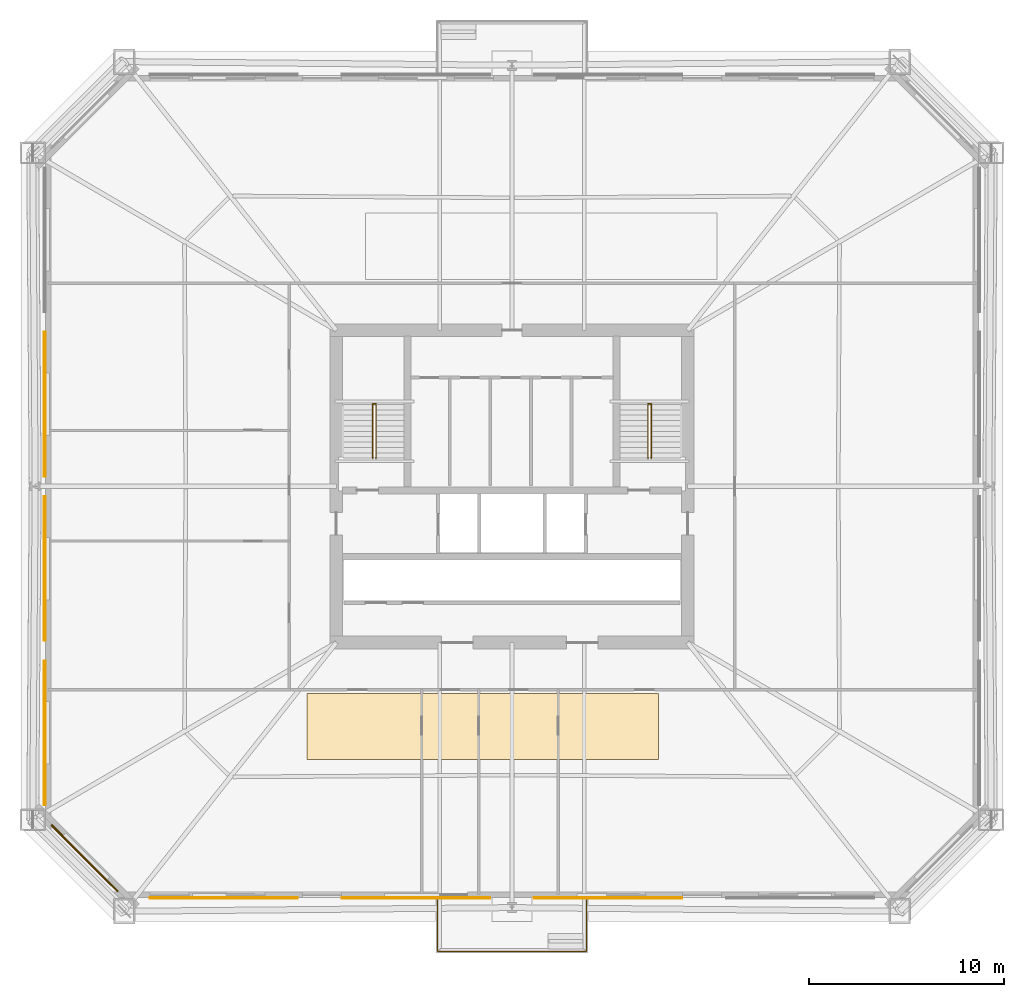
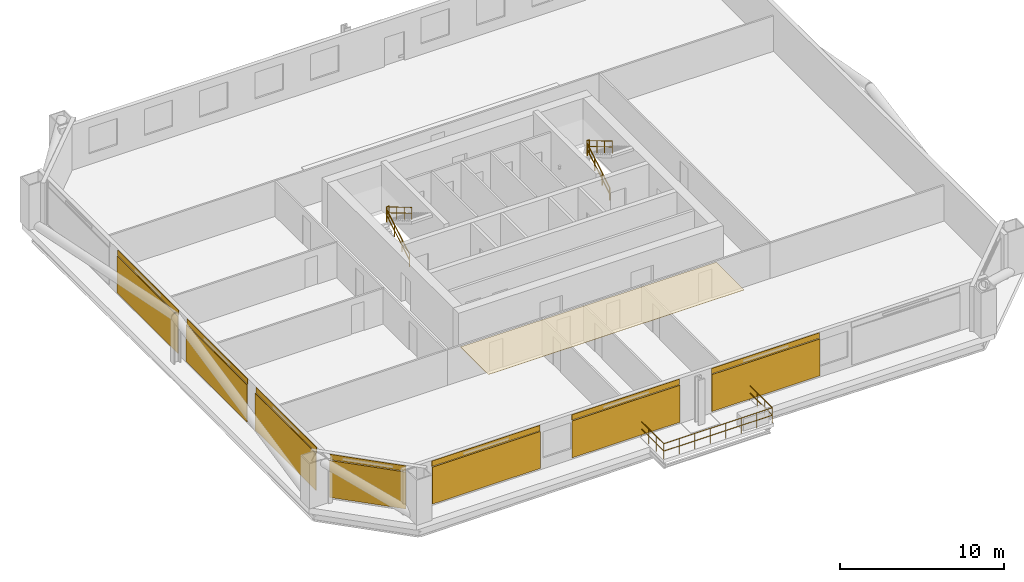
# One storey, part 6 of 7: 8 coverings, 7 railings, 7 shading devices.
"""IFC4 building model written with IfcOpenShell, lengths in metres."""

from ifc_helpers import new_model, si_unit, direction, frame, origin, origin_2d, place, context, subcontext, project, spatial, polyline, rectangle, circle, outline, extrude, material, layer, layer_set, type_object, element, save


model = new_model("IFC4")

# Units and contexts
model_context = context("Model", 3, precision=1e-05, world=origin(), true_north=direction((0.0, 1.0)))
body_context = subcontext(model_context, "Body", "Model", "MODEL_VIEW")
ifc_project = project(units=[si_unit("LENGTHUNIT", "METRE"), si_unit("AREAUNIT", "SQUARE_METRE"), si_unit("VOLUMEUNIT", "CUBIC_METRE"), si_unit("PLANEANGLEUNIT", "RADIAN"), si_unit("MASSUNIT", "GRAM", prefix="KILO")], contexts=[model_context])

# Site, building, storey
site_placement = place(None, origin())
site = spatial("IfcSite", under=ifc_project, at=site_placement, CompositionType="ELEMENT")
building_placement = place(site_placement, origin())
building = spatial("IfcBuilding", under=site, at=building_placement, Name="Caelvoria Tower", CompositionType="ELEMENT")
storey_placement = place(building_placement, frame((0.0, 0.0, 38.800048828125)))
storey = spatial("IfcBuildingStorey", under=building, at=storey_placement, Name="L09", CompositionType="ELEMENT", Elevation=38.800048828125)

# Railing
ifc_material_1 = material(Name="Bronze Anodised Aluminium and Stainless Steel", Category="steel")
railing_type_1 = type_object("IfcRailingType", Name="Exterior Terrace and Balcony Guardrail 1150", PredefinedType="GUARDRAIL", material=ifc_material_1)
railing_1_placement = place(storey_placement, frame((42.179931640625, 10.93994140625, 0.0)))
element("IfcRailing", 1, at=railing_1_placement, inside=storey, type_object=railing_type_1, Name="Tree Balcony Guardrail TB-L09-S", PredefinedType="GUARDRAIL", context=body_context, shape_type="SweptSolid", body=[
    extrude(circle(Radius=0.02392578125, at=origin_2d()), frame((0.0, 0.0, 1.1259765625), z_axis=(0.0, -1.0, 0.0), x_axis=(1.0, 0.0, 0.0)), (0.0, 0.0, 1.0), 2.760009765625),
    extrude(circle(Radius=0.02392578125, at=origin_2d()), frame((0.0, 0.0, 0.574951171875), z_axis=(0.0, -1.0, 0.0), x_axis=(1.0, 0.0, 0.0)), (0.0, 0.0, 1.0), 2.760009765625),
    extrude(circle(Radius=0.02392578125, at=origin_2d()), frame((0.0, -2.760009765625, 1.1259765625), z_axis=(1.0, 0.0, 0.0), x_axis=(0.0, 1.0, 0.0)), (0.0, 0.0, 1.0), 7.64013671875),
    extrude(circle(Radius=0.02392578125, at=origin_2d()), frame((0.0, -2.760009765625, 0.574951171875), z_axis=(1.0, 0.0, 0.0), x_axis=(0.0, 1.0, 0.0)), (0.0, 0.0, 1.0), 7.64013671875),
    extrude(circle(Radius=0.02392578125, at=origin_2d()), frame((7.64013671875, -2.760009765625, 1.1259765625), z_axis=(0.0, 1.0, 0.0), x_axis=(-1.0, 0.0, 0.0)), (0.0, 0.0, 1.0), 2.760009765625),
    extrude(circle(Radius=0.02392578125, at=origin_2d()), frame((7.64013671875, -2.760009765625, 0.574951171875), z_axis=(0.0, 1.0, 0.0), x_axis=(-1.0, 0.0, 0.0)), (0.0, 0.0, 1.0), 2.760009765625),
    extrude(circle(Radius=0.02099609375, at=origin_2d()), origin(), (0.0, 0.0, 1.0), 1.101806640625),
    extrude(circle(Radius=0.02099609375, at=origin_2d()), frame((0.0, -0.919921875, 0.0)), (0.0, 0.0, 1.0), 1.101806640625),
    extrude(circle(Radius=0.02099609375, at=origin_2d()), frame((0.0, -1.840087890625, 0.0)), (0.0, 0.0, 1.0), 1.101806640625),
    extrude(circle(Radius=0.02099609375, at=origin_2d()), frame((0.0, -2.760009765625, 0.0)), (0.0, 0.0, 1.0), 1.101806640625),
    extrude(circle(Radius=0.02099609375, at=origin_2d()), frame((1.091552734375, -2.760009765625, 0.0)), (0.0, 0.0, 1.0), 1.101806640625),
    extrude(circle(Radius=0.02099609375, at=origin_2d()), frame((2.182861328125, -2.760009765625, 0.0)), (0.0, 0.0, 1.0), 1.101806640625),
    extrude(circle(Radius=0.02099609375, at=origin_2d()), frame((3.2744140625, -2.760009765625, 0.0)), (0.0, 0.0, 1.0), 1.101806640625),
    extrude(circle(Radius=0.02099609375, at=origin_2d()), frame((4.36572265625, -2.760009765625, 0.0)), (0.0, 0.0, 1.0), 1.101806640625),
    extrude(circle(Radius=0.02099609375, at=origin_2d()), frame((5.457275390625, -2.760009765625, 0.0)), (0.0, 0.0, 1.0), 1.101806640625),
    extrude(circle(Radius=0.02099609375, at=origin_2d()), frame((6.548583984375, -2.760009765625, 0.0)), (0.0, 0.0, 1.0), 1.101806640625),
    extrude(circle(Radius=0.02099609375, at=origin_2d()), frame((7.64013671875, -2.760009765625, 0.0)), (0.0, 0.0, 1.0), 1.101806640625),
    extrude(circle(Radius=0.02099609375, at=origin_2d()), frame((7.64013671875, -1.840087890625, 0.0)), (0.0, 0.0, 1.0), 1.101806640625),
    extrude(circle(Radius=0.02099609375, at=origin_2d()), frame((7.64013671875, -0.919921875, 0.0)), (0.0, 0.0, 1.0), 1.101806640625),
    extrude(circle(Radius=0.02099609375, at=origin_2d()), frame((7.64013671875, 0.0, 0.0)), (0.0, 0.0, 1.0), 1.101806640625),
])

# Coverings
ifc_material_2 = material(Name="Acoustic Mineral Fibre Tile", Category="gypsum")
ifc_layer_1 = layer(ifc_material_2, 0.02490234375, Name="Acoustic Mineral Fibre Tile")
ifc_layer_set_1 = layer_set([ifc_layer_1], Name="Mineral-Fibre Acoustic Suspended Ceiling 25 - Acoustic Mineral Fibre Tile")
covering_type_1 = type_object("IfcCoveringType", Name="Mineral-Fibre Acoustic Suspended Ceiling 25", PredefinedType="CEILING", material=ifc_layer_set_1)
covering_1_placement = place(storey_placement, frame((0.0, 0.0, 2.635009765625)))
element("IfcCovering", 2, at=covering_1_placement, inside=storey, type_object=covering_type_1, Name="Suspended Acoustic Ceiling L09", PredefinedType="CEILING", context=body_context, shape_type="SweptSolid", body=[
    extrude(outline(polyline([(35.5, 18.0), (53.5, 18.0), (53.5, 21.39990234375), (35.5, 21.39990234375), (35.5, 18.0)])), origin(), (0.0, 0.0, 1.0), 0.02490234375),
])
ifc_material_3 = material(Name="Perforated Architectural Bronze Cladding Screen", Category="bronze")
ifc_layer_2 = layer(ifc_material_3, 0.0400390625, Name="Perforated Architectural Bronze Cladding Screen")
ifc_layer_set_2 = layer_set([ifc_layer_2], Name="Perforated Bronze Louvre Cladding Band 40 - Perforated Architectural Bronze Cladding Screen")
covering_type_2 = type_object("IfcCoveringType", Name="Perforated Bronze Louvre Cladding Band 40", PredefinedType="CLADDING", material=ifc_layer_set_2)
for number, where, z_axis, x_axis, name in (
    (3, (31.232421875, 10.927978515625, 2.93994140625), (0.0, 0.0, 1.0), (1.0, 0.0, 0.0), "Perforated Bronze Screen Band L09-E0-00"),
    (4, (41.077392578125, 10.927978515625, 2.93994140625), (0.0, 0.0, 1.0), (1.0, 0.0, 0.0), "Perforated Bronze Screen Band L09-E0-01"),
    (5, (50.922607421875, 10.927978515625, 2.93994140625), (0.0, 0.0, 1.0), (1.0, 0.0, 0.0), "Perforated Bronze Screen Band L09-E0-02"),
):
    element("IfcCovering", number, at=place(storey_placement, frame(where, z_axis=z_axis, x_axis=x_axis)), inside=storey, type_object=covering_type_2, Name=name, PredefinedType="CLADDING", context=body_context, shape_type="SweptSolid", body=[
        extrude(rectangle(XDim=7.60009765625, YDim=0.0400390625, at=origin_2d()), origin(), (0.0, 0.0, 1.0), 0.39990234375),
    ])
for number, where, z_axis, x_axis, name in (
    (6, (22.077880859375, 36.2099609375, 2.93994140625), (0.0, 0.0, 1.0), (0.0, -1.0, 0.0), "Perforated Bronze Screen Band L09-E6-01"),
    (7, (22.077880859375, 27.7900390625, 2.93994140625), (0.0, 0.0, 1.0), (0.0, -1.0, 0.0), "Perforated Bronze Screen Band L09-E6-02"),
    (8, (22.077880859375, 19.3701171875, 2.93994140625), (0.0, 0.0, 1.0), (0.0, -1.0, 0.0), "Perforated Bronze Screen Band L09-E6-03"),
):
    element("IfcCovering", number, at=place(storey_placement, frame(where, z_axis=z_axis, x_axis=x_axis)), inside=storey, type_object=covering_type_2, Name=name, PredefinedType="CLADDING", context=body_context, shape_type="SweptSolid", body=[
        extrude(rectangle(XDim=7.40966796875, YDim=0.0400390625, at=origin_2d()), origin(), (0.0, 0.0, 1.0), 0.39990234375),
    ])
covering_2_placement = place(storey_placement, frame((24.118408203125, 12.96826171875, 2.93994140625), z_axis=(0.0, 0.0, 1.0), x_axis=(0.707106781187, -0.707106781187, 0.0)))
element("IfcCovering", 9, at=covering_2_placement, inside=storey, type_object=covering_type_2, Name="Perforated Bronze Screen Band L09-E7-00", PredefinedType="CLADDING", context=body_context, shape_type="SweptSolid", body=[
    extrude(rectangle(XDim=4.81201171875, YDim=0.0400390625, at=origin_2d()), origin(), (0.0, 0.0, 1.0), 0.39990234375),
])

# Shading devices
ifc_material_4 = material(Name="Perforated Architectural Bronze Alloy Panel", Category="bronze")
ifc_layer_3 = layer(ifc_material_4, 0.044921875, Name="Perforated Architectural Bronze Alloy Panel")
ifc_layer_set_3 = layer_set([ifc_layer_3], Name="Perforated Bronze Solar Screen Panel SCREEN - Perforated Architectural Bronze Alloy Panel")
shading_device_type = type_object("IfcShadingDeviceType", Name="Perforated Bronze Solar Screen Panel SCREEN", PredefinedType="USERDEFINED", material=ifc_layer_set_3)
for number, where, z_axis, x_axis, name in (
    (10, (31.232421875, 10.885009765625, 0.159912109375), (0.0, 0.0, 1.0), (1.0, 0.0, 0.0), "Perforated Bronze Solar Screen L09-E0-00"),
    (11, (41.077392578125, 10.885009765625, 0.159912109375), (0.0, 0.0, 1.0), (1.0, 0.0, 0.0), "Perforated Bronze Solar Screen L09-E0-01"),
    (12, (50.922607421875, 10.885009765625, 0.159912109375), (0.0, 0.0, 1.0), (1.0, 0.0, 0.0), "Perforated Bronze Solar Screen L09-E0-02"),
):
    element("IfcShadingDevice", number, at=place(storey_placement, frame(where, z_axis=z_axis, x_axis=x_axis)), inside=storey, type_object=shading_device_type, Name=name, ObjectType="SCREEN", PredefinedType="USERDEFINED", context=body_context, shape_type="SweptSolid", body=[
        extrude(rectangle(XDim=7.60009765625, YDim=0.044921875, at=origin_2d()), origin(), (0.0, 0.0, 1.0), 2.75),
    ])
for number, where, z_axis, x_axis, name in (
    (13, (22.034912109375, 36.2099609375, 0.159912109375), (0.0, 0.0, 1.0), (0.0, -1.0, 0.0), "Perforated Bronze Solar Screen L09-E6-01"),
    (14, (22.034912109375, 27.7900390625, 0.159912109375), (0.0, 0.0, 1.0), (0.0, -1.0, 0.0), "Perforated Bronze Solar Screen L09-E6-02"),
    (15, (22.034912109375, 19.3701171875, 0.159912109375), (0.0, 0.0, 1.0), (0.0, -1.0, 0.0), "Perforated Bronze Solar Screen L09-E6-03"),
):
    element("IfcShadingDevice", number, at=place(storey_placement, frame(where, z_axis=z_axis, x_axis=x_axis)), inside=storey, type_object=shading_device_type, Name=name, ObjectType="SCREEN", PredefinedType="USERDEFINED", context=body_context, shape_type="SweptSolid", body=[
        extrude(rectangle(XDim=7.40966796875, YDim=0.044921875, at=origin_2d()), origin(), (0.0, 0.0, 1.0), 2.75),
    ])
shading_device_placement = place(storey_placement, frame((24.087890625, 12.93798828125, 0.159912109375), z_axis=(0.0, 0.0, 1.0), x_axis=(0.707106781187, -0.707106781187, 0.0)))
element("IfcShadingDevice", 16, at=shading_device_placement, inside=storey, type_object=shading_device_type, Name="Perforated Bronze Solar Screen L09-E7-00", ObjectType="SCREEN", PredefinedType="USERDEFINED", context=body_context, shape_type="SweptSolid", body=[
    extrude(rectangle(XDim=4.81201171875, YDim=0.044921875, at=origin_2d()), origin(), (0.0, 0.0, 1.0), 2.75),
])

# Railings
ifc_material_5 = material(Name="Brushed Stainless Steel Tube", Category="steel")
railing_type_2 = type_object("IfcRailingType", Name="Stair Tubular Stainless Handrail 920", PredefinedType="HANDRAIL", material=ifc_material_5)
railing_2_placement = place(storey_placement, frame((38.8701171875, 33.449951171875, 0.16357421875)))
element("IfcRailing", 17, at=railing_2_placement, inside=storey, type_object=railing_type_2, Name="ST-01 Flight 1 Handrail L09", PredefinedType="HANDRAIL", context=body_context, shape_type="SweptSolid", body=[
    extrude(circle(Radius=0.02392578125, at=origin_2d()), frame((0.0, 0.0, 0.89599609375), z_axis=(0.0, 0.859351957796, 0.511384603436), x_axis=(-1.0, 0.0, 0.0)), (0.0, 0.0, 1.0), 3.2001953125),
    extrude(circle(Radius=0.02392578125, at=origin_2d()), frame((0.0, 0.0, 0.4599609375), z_axis=(0.0, 0.859351957796, 0.511384603436), x_axis=(-1.0, 0.0, 0.0)), (0.0, 0.0, 1.0), 3.2001953125),
    extrude(circle(Radius=0.02099609375, at=origin_2d()), origin(), (0.0, 0.0, 1.0), 0.871826171875),
    extrude(circle(Radius=0.02099609375, at=origin_2d()), frame((0.0, 0.916748046875, 0.54541015625)), (0.0, 0.0, 1.0), 0.871826171875),
    extrude(circle(Radius=0.02099609375, at=origin_2d()), frame((0.0, 1.833251953125, 1.091064453125)), (0.0, 0.0, 1.0), 0.871826171875),
    extrude(circle(Radius=0.02099609375, at=origin_2d()), frame((0.0, 2.75, 1.636474609375)), (0.0, 0.0, 1.0), 0.871826171875),
])
railing_3_placement = place(storey_placement, frame((39.030029296875, 36.199951171875, 1.963623046875)))
element("IfcRailing", 18, at=railing_3_placement, inside=storey, type_object=railing_type_2, Name="ST-01 Flight 2 Handrail L09", PredefinedType="HANDRAIL", context=body_context, shape_type="SweptSolid", body=[
    extrude(circle(Radius=0.02392578125, at=origin_2d()), frame((0.0, 0.0, 0.89599609375), z_axis=(0.0, -0.859385484447, 0.511328259656), x_axis=(1.0, 0.0, 0.0)), (0.0, 0.0, 1.0), 3.199951171875),
    extrude(circle(Radius=0.02392578125, at=origin_2d()), frame((0.0, 0.0, 0.4599609375), z_axis=(0.0, -0.859385484447, 0.511328259656), x_axis=(1.0, 0.0, 0.0)), (0.0, 0.0, 1.0), 3.199951171875),
    extrude(circle(Radius=0.02099609375, at=origin_2d()), origin(), (0.0, 0.0, 1.0), 0.871826171875),
    extrude(circle(Radius=0.02099609375, at=origin_2d()), frame((0.0, -0.916748046875, 0.54541015625)), (0.0, 0.0, 1.0), 0.871826171875),
    extrude(circle(Radius=0.02099609375, at=origin_2d()), frame((0.0, -1.833251953125, 1.0908203125)), (0.0, 0.0, 1.0), 0.871826171875),
    extrude(circle(Radius=0.02099609375, at=origin_2d()), frame((0.0, -2.75, 1.63623046875)), (0.0, 0.0, 1.0), 0.871826171875),
])
railing_4_placement = place(storey_placement, frame((52.969970703125, 33.449951171875, 0.16357421875)))
element("IfcRailing", 19, at=railing_4_placement, inside=storey, type_object=railing_type_2, Name="ST-02 Flight 1 Handrail L09", PredefinedType="HANDRAIL", context=body_context, shape_type="SweptSolid", body=[
    extrude(circle(Radius=0.02392578125, at=origin_2d()), frame((0.0, 0.0, 0.89599609375), z_axis=(0.0, 0.859351957796, 0.511384603436), x_axis=(-1.0, 0.0, 0.0)), (0.0, 0.0, 1.0), 3.2001953125),
    extrude(circle(Radius=0.02392578125, at=origin_2d()), frame((0.0, 0.0, 0.4599609375), z_axis=(0.0, 0.859351957796, 0.511384603436), x_axis=(-1.0, 0.0, 0.0)), (0.0, 0.0, 1.0), 3.2001953125),
    extrude(circle(Radius=0.02099609375, at=origin_2d()), origin(), (0.0, 0.0, 1.0), 0.871826171875),
    extrude(circle(Radius=0.02099609375, at=origin_2d()), frame((0.0, 0.916748046875, 0.54541015625)), (0.0, 0.0, 1.0), 0.871826171875),
    extrude(circle(Radius=0.02099609375, at=origin_2d()), frame((0.0, 1.833251953125, 1.091064453125)), (0.0, 0.0, 1.0), 0.871826171875),
    extrude(circle(Radius=0.02099609375, at=origin_2d()), frame((0.0, 2.75, 1.636474609375)), (0.0, 0.0, 1.0), 0.871826171875),
])
railing_5_placement = place(storey_placement, frame((53.1298828125, 36.199951171875, 1.963623046875)))
element("IfcRailing", 20, at=railing_5_placement, inside=storey, type_object=railing_type_2, Name="ST-02 Flight 2 Handrail L09", PredefinedType="HANDRAIL", context=body_context, shape_type="SweptSolid", body=[
    extrude(circle(Radius=0.02392578125, at=origin_2d()), frame((0.0, 0.0, 0.89599609375), z_axis=(0.0, -0.859385484447, 0.511328259656), x_axis=(1.0, 0.0, 0.0)), (0.0, 0.0, 1.0), 3.199951171875),
    extrude(circle(Radius=0.02392578125, at=origin_2d()), frame((0.0, 0.0, 0.4599609375), z_axis=(0.0, -0.859385484447, 0.511328259656), x_axis=(1.0, 0.0, 0.0)), (0.0, 0.0, 1.0), 3.199951171875),
    extrude(circle(Radius=0.02099609375, at=origin_2d()), origin(), (0.0, 0.0, 1.0), 0.871826171875),
    extrude(circle(Radius=0.02099609375, at=origin_2d()), frame((0.0, -0.916748046875, 0.54541015625)), (0.0, 0.0, 1.0), 0.871826171875),
    extrude(circle(Radius=0.02099609375, at=origin_2d()), frame((0.0, -1.833251953125, 1.0908203125)), (0.0, 0.0, 1.0), 0.871826171875),
    extrude(circle(Radius=0.02099609375, at=origin_2d()), frame((0.0, -2.75, 1.63623046875)), (0.0, 0.0, 1.0), 0.871826171875),
])
ifc_material_6 = material(Name="Brushed Stainless Steel Guardrail", Category="steel")
railing_type_3 = type_object("IfcRailingType", Name="Stair Well and Ramp Guardrail 1120", PredefinedType="GUARDRAIL", material=ifc_material_6)
for number, where, name in (
    (21, (38.8701171875, 36.239990234375, 1.800048828125), "ST-01 Half-Landing Well Guard L09"),
    (22, (52.969970703125, 36.239990234375, 1.800048828125), "ST-02 Half-Landing Well Guard L09"),
):
    element("IfcRailing", number, at=place(storey_placement, frame(where)), inside=storey, type_object=railing_type_3, Name=name, PredefinedType="GUARDRAIL", context=body_context, shape_type="SweptSolid", body=[
        extrude(circle(Radius=0.02392578125, at=origin_2d()), frame((0.0, 0.0, 1.09619140625), z_axis=(1.0, 0.0, 0.0), x_axis=(0.0, 1.0, 0.0)), (0.0, 0.0, 1.0), 0.159912109375),
        extrude(circle(Radius=0.02392578125, at=origin_2d()), frame((0.0, 0.0, 0.56005859375), z_axis=(1.0, 0.0, 0.0), x_axis=(0.0, 1.0, 0.0)), (0.0, 0.0, 1.0), 0.159912109375),
        extrude(circle(Radius=0.02099609375, at=origin_2d()), origin(), (0.0, 0.0, 1.0), 1.072021484375),
        extrude(circle(Radius=0.02099609375, at=origin_2d()), frame((0.159912109375, 0.0, 0.0)), (0.0, 0.0, 1.0), 1.072021484375),
    ])

save(model, "model.ifc")
